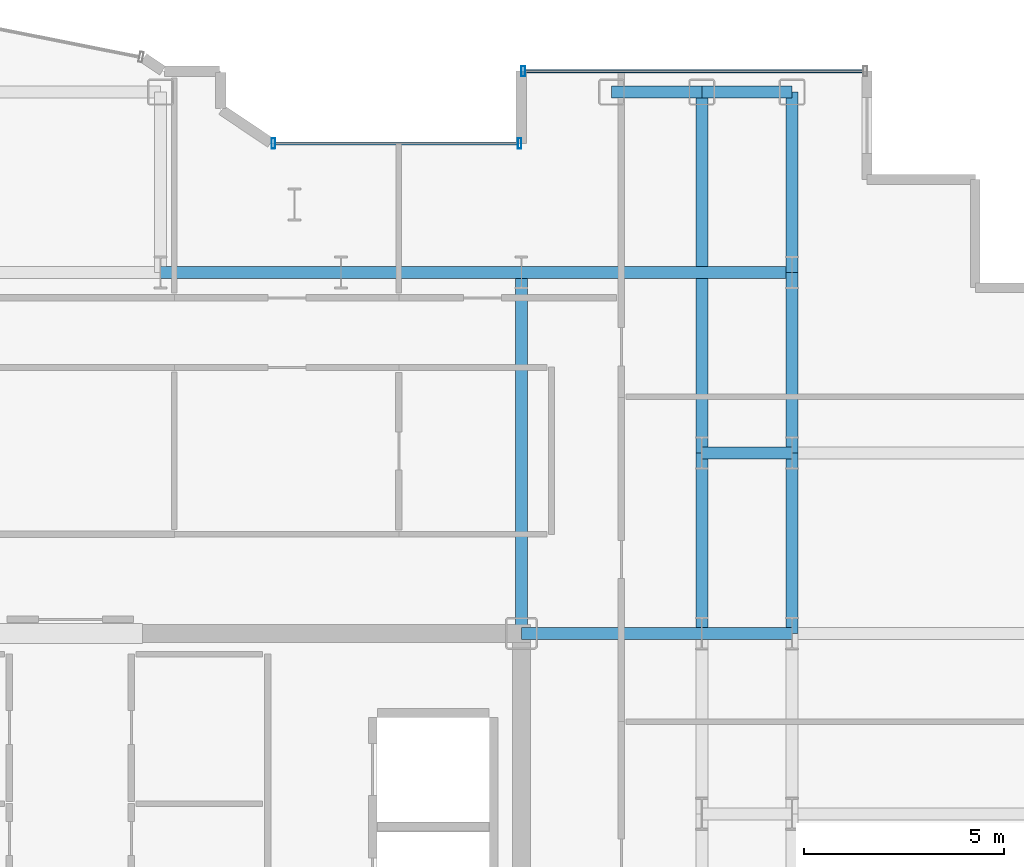
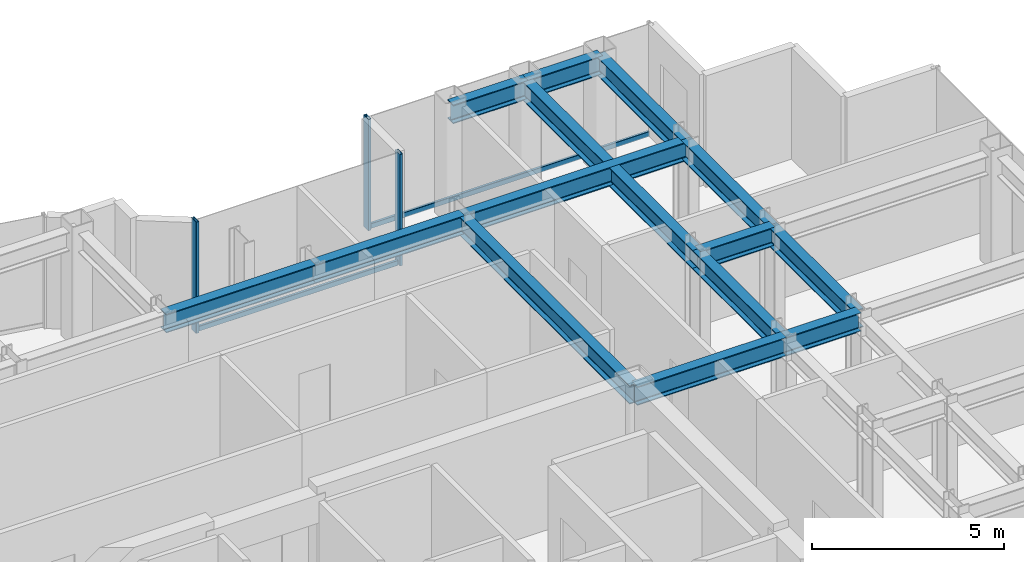
# One storey, part 10 of 21: 14 beams, 5 members, 2 elements without a shape of their own.
"""IFC4 building model written with IfcOpenShell, lengths in metres."""

from ifc_helpers import new_model, si_unit, direction, frame, origin, origin_2d, place, context, subcontext, project, spatial, hollow_rectangle, i_section, extrude, source, transform, mapped, material, layer, layer_set, material_profile, profile_set, type_object, element, aggregate, save


model = new_model("IFC4")

# Units and contexts
model_context = context("Model", 3, precision=1e-05, world=origin(), true_north=direction((0.0, 1.0)))
body_context = subcontext(model_context, "Body", "Model", "MODEL_VIEW")
ifc_project = project(units=[si_unit("LENGTHUNIT", "METRE"), si_unit("AREAUNIT", "SQUARE_METRE"), si_unit("VOLUMEUNIT", "CUBIC_METRE"), si_unit("PLANEANGLEUNIT", "RADIAN"), si_unit("MASSUNIT", "GRAM", prefix="KILO")], contexts=[model_context])

# Site, building, storey
site_placement = place(None, origin())
site = spatial("IfcSite", under=ifc_project, at=site_placement, CompositionType="ELEMENT")
building_placement = place(site_placement, origin())
building = spatial("IfcBuilding", under=site, at=building_placement, Name="Nefas-Gora Pilgrimage Tower", CompositionType="ELEMENT")
storey_placement = place(building_placement, frame((0.0, 0.0, 206.60009765625)))
storey = spatial("IfcBuildingStorey", under=building, at=storey_placement, Name="L51", CompositionType="ELEMENT", Elevation=206.60009765625)

# Beams
ifc_material_1 = material(Name="Steel S355", Category="steel")
ifc_material_profile_1 = material_profile(ifc_material_1, i_section(OverallWidth=0.300048828125, OverallDepth=0.60009765625, WebThickness=0.015380859375, FlangeThickness=0.030029296875, FilletRadius=0.027099609375, at=origin_2d()), Name="HEB 600")
ifc_profile_set_1 = profile_set([ifc_material_profile_1], Name="Steel S355")
beam_type_1 = type_object("IfcBeamType", Name="BM-GIR-HEB600", PredefinedType="BEAM", material=ifc_profile_set_1)
shared_shape_1 = source(origin(), body_context, "Body", "SweptSolid", [
    extrude(i_section(OverallWidth=0.300048828125, OverallDepth=0.60009765625, WebThickness=0.015380859375, FlangeThickness=0.030029296875, FilletRadius=0.027099609375, at=origin_2d()), origin(), (0.0, 0.0, 1.0), 9.0),
])
for number, where, z_axis, x_axis, name in (
    (1, (11.25, 9.0, 3.25), (0.0, 1.0, 0.0), (-1.0, 0.0, 0.0), "L51 G-04 beam"),
    (2, (15.75, 13.5, 3.25), (0.0, 1.0, 0.0), (-1.0, 0.0, 0.0), "L51 G-04 beam"),
):
    element("IfcBeam", number, at=place(storey_placement, frame(where, z_axis=z_axis, x_axis=x_axis)), inside=storey, type_object=beam_type_1, Name=name, PredefinedType="BEAM", context=body_context, shape_type="MappedRepresentation", body=[
        mapped(shared_shape_1, transform((0.0, 0.0, 0.0), x_axis=(1.0, 0.0, 0.0), y_axis=(0.0, 1.0, 0.0), z_axis=(0.0, 0.0, 1.0), scale=1.0)),
    ])
shared_shape_2 = source(origin(), body_context, "Body", "SweptSolid", [
    extrude(i_section(OverallWidth=0.300048828125, OverallDepth=0.60009765625, WebThickness=0.015380859375, FlangeThickness=0.030029296875, FilletRadius=0.027099609375, at=origin_2d()), origin(), (0.0, 0.0, 1.0), 4.5),
])
for number, where, z_axis, x_axis, name in (
    (3, (2.25, 18.0, 3.25), (1.0, 0.0, 0.0), (0.0, 1.0, 0.0), "L51 G-04 beam"),
    (4, (6.75, 18.0, 3.25), (1.0, 0.0, 0.0), (0.0, 1.0, 0.0), "L51 G-04 beam"),
    (5, (11.25, 9.0, 3.25), (1.0, 0.0, 0.0), (0.0, 1.0, 0.0), "L51 G-04 beam"),
    (6, (15.75, 9.0, 3.25), (0.0, 1.0, 0.0), (-1.0, 0.0, 0.0), "L51 G-04 beam"),
    (7, (18.0, 9.0, 3.25), (0.0, 1.0, 0.0), (-1.0, 0.0, 0.0), "L51 G-04 beam"),
    (8, (18.0, 13.5, 3.25), (0.0, 1.0, 0.0), (-1.0, 0.0, 0.0), "L51 G-04 beam"),
    (9, (18.0, 18.0, 3.25), (0.0, 1.0, 0.0), (-1.0, 0.0, 0.0), "L51 G-04 beam"),
):
    element("IfcBeam", number, at=place(storey_placement, frame(where, z_axis=z_axis, x_axis=x_axis)), inside=storey, type_object=beam_type_1, Name=name, PredefinedType="BEAM", context=body_context, shape_type="MappedRepresentation", body=[
        mapped(shared_shape_2, transform((0.0, 0.0, 0.0), x_axis=(1.0, 0.0, 0.0), y_axis=(0.0, 1.0, 0.0), z_axis=(0.0, 0.0, 1.0), scale=1.0)),
    ])
shared_shape_3 = source(origin(), body_context, "Body", "SweptSolid", [
    extrude(i_section(OverallWidth=0.300048828125, OverallDepth=0.60009765625, WebThickness=0.015380859375, FlangeThickness=0.030029296875, FilletRadius=0.027099609375, at=origin_2d()), origin(), (0.0, 0.0, 1.0), 6.75),
])
beam_placement = place(storey_placement, frame((11.25, 18.0, 3.25), z_axis=(1.0, 0.0, 0.0), x_axis=(0.0, 1.0, 0.0)))
element("IfcBeam", 10, at=beam_placement, inside=storey, type_object=beam_type_1, Name="L51 G-04 beam", PredefinedType="BEAM", context=body_context, shape_type="MappedRepresentation", body=[
    mapped(shared_shape_3, transform((0.0, 0.0, 0.0), x_axis=(1.0, 0.0, 0.0), y_axis=(0.0, 1.0, 0.0), z_axis=(0.0, 0.0, 1.0), scale=1.0)),
])
ifc_material_profile_2 = material_profile(ifc_material_1, i_section(OverallWidth=0.300048828125, OverallDepth=0.60009765625, WebThickness=0.015380859375, FlangeThickness=0.030029296875, FilletRadius=0.027099609375, at=origin_2d()), Name="HEB 600")
ifc_profile_set_2 = profile_set([ifc_material_profile_2], Name="Steel S355")
beam_type_2 = type_object("IfcBeamType", Name="BM-SPN-HEB450", PredefinedType="SPANDREL", material=ifc_profile_set_2)
shared_shape_4 = source(origin(), body_context, "Body", "SweptSolid", [
    extrude(i_section(OverallWidth=0.300048828125, OverallDepth=0.60009765625, WebThickness=0.015380859375, FlangeThickness=0.030029296875, FilletRadius=0.027099609375, at=origin_2d()), origin(), (0.0, 0.0, 1.0), 2.25),
])
for number, where, z_axis, x_axis, name in (
    (11, (13.5, 22.5, 3.25), (1.0, 0.0, 0.0), (0.0, 1.0, 0.0), "L51 SP-03 beam"),
    (12, (15.75, 22.5, 3.25), (1.0, 0.0, 0.0), (0.0, 1.0, 0.0), "L51 SP-03 beam"),
):
    element("IfcBeam", number, at=place(storey_placement, frame(where, z_axis=z_axis, x_axis=x_axis)), inside=storey, type_object=beam_type_2, Name=name, PredefinedType="SPANDREL", context=body_context, shape_type="MappedRepresentation", body=[
        mapped(shared_shape_4, transform((0.0, 0.0, 0.0), x_axis=(1.0, 0.0, 0.0), y_axis=(0.0, 1.0, 0.0), z_axis=(0.0, 0.0, 1.0), scale=1.0)),
    ])
shared_shape_5 = source(origin(), body_context, "Body", "SweptSolid", [
    extrude(i_section(OverallWidth=0.300048828125, OverallDepth=0.60009765625, WebThickness=0.015380859375, FlangeThickness=0.030029296875, FilletRadius=0.027099609375, at=origin_2d()), origin(), (0.0, 0.0, 1.0), 2.25),
])
for number, where, z_axis, x_axis, name in (
    (13, (15.75, 9.0, 3.25), (1.0, 0.0, 0.0), (0.0, 1.0, 0.0), "L51 G-04 beam"),
    (14, (15.75, 13.5, 3.25), (1.0, 0.0, 0.0), (0.0, 1.0, 0.0), "L51 G-04 beam"),
):
    element("IfcBeam", number, at=place(storey_placement, frame(where, z_axis=z_axis, x_axis=x_axis)), inside=storey, type_object=beam_type_1, Name=name, PredefinedType="BEAM", context=body_context, shape_type="MappedRepresentation", body=[
        mapped(shared_shape_5, transform((0.0, 0.0, 0.0), x_axis=(1.0, 0.0, 0.0), y_axis=(0.0, 1.0, 0.0), z_axis=(0.0, 0.0, 1.0), scale=1.0)),
    ])

# Curtain wall, members
ifc_material_2 = material(Name="Dark ceramic-fritted solar-control aluminium-glass curtain wall", Category="aluminium")
ifc_layer_1 = layer(ifc_material_2, 0.219970703125)
ifc_layer_set_1 = layer_set([ifc_layer_1], Name="Dark ceramic-fritted solar-control aluminium-glass curtain wall")
curtain_wall_type_1 = type_object("IfcCurtainWallType", Name="CW-SYS-5", PredefinedType="NOTDEFINED", material=ifc_layer_set_1)
curtain_wall_1_placement = place(storey_placement, origin())
curtain_wall_1 = element("IfcCurtainWall", 15, at=curtain_wall_1_placement, inside=storey, type_object=curtain_wall_type_1, Name="L51 Unitised Curtain Wall CW5", PredefinedType="NOTDEFINED")
ifc_material_3 = material(Name="Anodised architectural aluminium", Category="aluminium")
ifc_material_profile_3 = material_profile(ifc_material_3, hollow_rectangle(XDim=0.080078125, YDim=0.159912109375, WallThickness=0.00439453125, InnerFilletRadius=0.00439453125, OuterFilletRadius=0.009033203125, at=origin_2d()), Name="ALU TRANSOM 80x160")
ifc_profile_set_3 = profile_set([ifc_material_profile_3], Name="Anodised architectural aluminium")
member_type_1 = type_object("IfcMemberType", Name="CWM-TRN-5", PredefinedType="USERDEFINED", material=ifc_profile_set_3)
shared_shape_6 = source(origin(), body_context, "Body", "SweptSolid", [
    extrude(hollow_rectangle(XDim=0.080078125, YDim=0.159912109375, WallThickness=0.00439453125, InnerFilletRadius=0.00439453125, OuterFilletRadius=0.009033203125, at=origin_2d()), origin(), (0.0, 0.0, 1.0), 6.052001953125),
])
member_1_placement = place(storey_placement, frame((11.159912109375, 21.219970703125, 0.0498046875), z_axis=(-1.0, 0.0, 0.0), x_axis=(0.0, -1.0, 0.0)))
member_1 = element("IfcMember", 16, at=member_1_placement, type_object=member_type_1, Name="CW5 Spandrel Transom", ObjectType="TRANSOM", PredefinedType="USERDEFINED", context=body_context, shape_type="MappedRepresentation", body=[
    mapped(shared_shape_6, transform((0.0, 0.0, 0.0), x_axis=(1.0, 0.0, 0.0), y_axis=(0.0, 1.0, 0.0), z_axis=(0.0, 0.0, 1.0), scale=1.0)),
])
ifc_material_profile_4 = material_profile(ifc_material_3, hollow_rectangle(XDim=0.090087890625, YDim=0.260009765625, WallThickness=0.006103515625, InnerFilletRadius=0.006103515625, OuterFilletRadius=0.011962890625, at=origin_2d()), Name="ALU MULLION 90x260")
ifc_profile_set_4 = profile_set([ifc_material_profile_4], Name="Anodised architectural aluminium")
member_type_2 = type_object("IfcMemberType", Name="CWM-MUL-5", PredefinedType="MULLION", material=ifc_profile_set_4)
shared_shape_7 = source(origin(), body_context, "Body", "SweptSolid", [
    extrude(hollow_rectangle(XDim=0.090087890625, YDim=0.260009765625, WallThickness=0.006103515625, InnerFilletRadius=0.006103515625, OuterFilletRadius=0.011962890625, at=origin_2d()), origin(), (0.0, 0.0, 1.0), 3.5498046875),
])
member_2_placement = place(storey_placement, frame((11.205078125, 21.219970703125, 0.0), z_axis=(0.0, 0.0, 1.0), x_axis=(-1.0, 0.0, 0.0)))
member_2 = element("IfcMember", 17, at=member_2_placement, type_object=member_type_2, Name="CW5 Mullion 1", PredefinedType="MULLION", context=body_context, shape_type="MappedRepresentation", body=[
    mapped(shared_shape_7, transform((0.0, 0.0, 0.0), x_axis=(1.0, 0.0, 0.0), y_axis=(0.0, 1.0, 0.0), z_axis=(0.0, 0.0, 1.0), scale=1.0)),
])
member_3_placement = place(storey_placement, frame((5.06298828125, 21.219970703125, 0.0), z_axis=(0.0, 0.0, 1.0), x_axis=(-1.0, 0.0, 0.0)))
member_3 = element("IfcMember", 18, at=member_3_placement, type_object=member_type_2, Name="CW5 Mullion 2", PredefinedType="MULLION", context=body_context, shape_type="MappedRepresentation", body=[
    mapped(shared_shape_7, transform((0.0, 0.0, 0.0), x_axis=(1.0, 0.0, 0.0), y_axis=(0.0, 1.0, 0.0), z_axis=(0.0, 0.0, 1.0), scale=1.0)),
])
aggregate(curtain_wall_1, [member_2, member_3, member_1])

ifc_layer_2 = layer(ifc_material_2, 0.219970703125)
ifc_layer_set_2 = layer_set([ifc_layer_2], Name="Dark ceramic-fritted solar-control aluminium-glass curtain wall")
curtain_wall_type_2 = type_object("IfcCurtainWallType", Name="CW-SYS-3", PredefinedType="NOTDEFINED", material=ifc_layer_set_2)
curtain_wall_2_placement = place(storey_placement, origin())
curtain_wall_2 = element("IfcCurtainWall", 19, at=curtain_wall_2_placement, inside=storey, type_object=curtain_wall_type_2, Name="L51 Unitised Curtain Wall CW3", PredefinedType="NOTDEFINED")
ifc_material_profile_5 = material_profile(ifc_material_3, hollow_rectangle(XDim=0.080078125, YDim=0.159912109375, WallThickness=0.00439453125, InnerFilletRadius=0.00439453125, OuterFilletRadius=0.009033203125, at=origin_2d()), Name="ALU TRANSOM 80x160")
ifc_profile_set_5 = profile_set([ifc_material_profile_5], Name="Anodised architectural aluminium")
member_type_3 = type_object("IfcMemberType", Name="CWM-TRN-3", PredefinedType="USERDEFINED", material=ifc_profile_set_5)
shared_shape_8 = source(origin(), body_context, "Body", "SweptSolid", [
    extrude(hollow_rectangle(XDim=0.080078125, YDim=0.159912109375, WallThickness=0.00439453125, InnerFilletRadius=0.00439453125, OuterFilletRadius=0.009033203125, at=origin_2d()), origin(), (0.0, 0.0, 1.0), 8.43994140625),
])
member_4_placement = place(storey_placement, frame((19.780029296875, 23.02001953125, 0.0498046875), z_axis=(-1.0, 0.0, 0.0), x_axis=(0.0, -1.0, 0.0)))
member_4 = element("IfcMember", 20, at=member_4_placement, type_object=member_type_3, Name="CW3 Spandrel Transom", ObjectType="TRANSOM", PredefinedType="USERDEFINED", context=body_context, shape_type="MappedRepresentation", body=[
    mapped(shared_shape_8, transform((0.0, 0.0, 0.0), x_axis=(1.0, 0.0, 0.0), y_axis=(0.0, 1.0, 0.0), z_axis=(0.0, 0.0, 1.0), scale=1.0)),
])
ifc_material_profile_6 = material_profile(ifc_material_3, hollow_rectangle(XDim=0.090087890625, YDim=0.260009765625, WallThickness=0.006103515625, InnerFilletRadius=0.006103515625, OuterFilletRadius=0.011962890625, at=origin_2d()), Name="ALU MULLION 90x260")
ifc_profile_set_6 = profile_set([ifc_material_profile_6], Name="Anodised architectural aluminium")
member_type_4 = type_object("IfcMemberType", Name="CWM-MUL-3", PredefinedType="MULLION", material=ifc_profile_set_6)
shared_shape_9 = source(origin(), body_context, "Body", "SweptSolid", [
    extrude(hollow_rectangle(XDim=0.090087890625, YDim=0.260009765625, WallThickness=0.006103515625, InnerFilletRadius=0.006103515625, OuterFilletRadius=0.011962890625, at=origin_2d()), origin(), (0.0, 0.0, 1.0), 3.5498046875),
])
member_5_placement = place(storey_placement, frame((11.294921875, 23.02001953125, 0.0), z_axis=(0.0, 0.0, 1.0), x_axis=(-1.0, 0.0, 0.0)))
member_5 = element("IfcMember", 21, at=member_5_placement, type_object=member_type_4, Name="CW3 Mullion 2", PredefinedType="MULLION", context=body_context, shape_type="MappedRepresentation", body=[
    mapped(shared_shape_9, transform((0.0, 0.0, 0.0), x_axis=(1.0, 0.0, 0.0), y_axis=(0.0, 1.0, 0.0), z_axis=(0.0, 0.0, 1.0), scale=1.0)),
])
aggregate(curtain_wall_2, [member_5, member_4])

save(model, "model.ifc")
